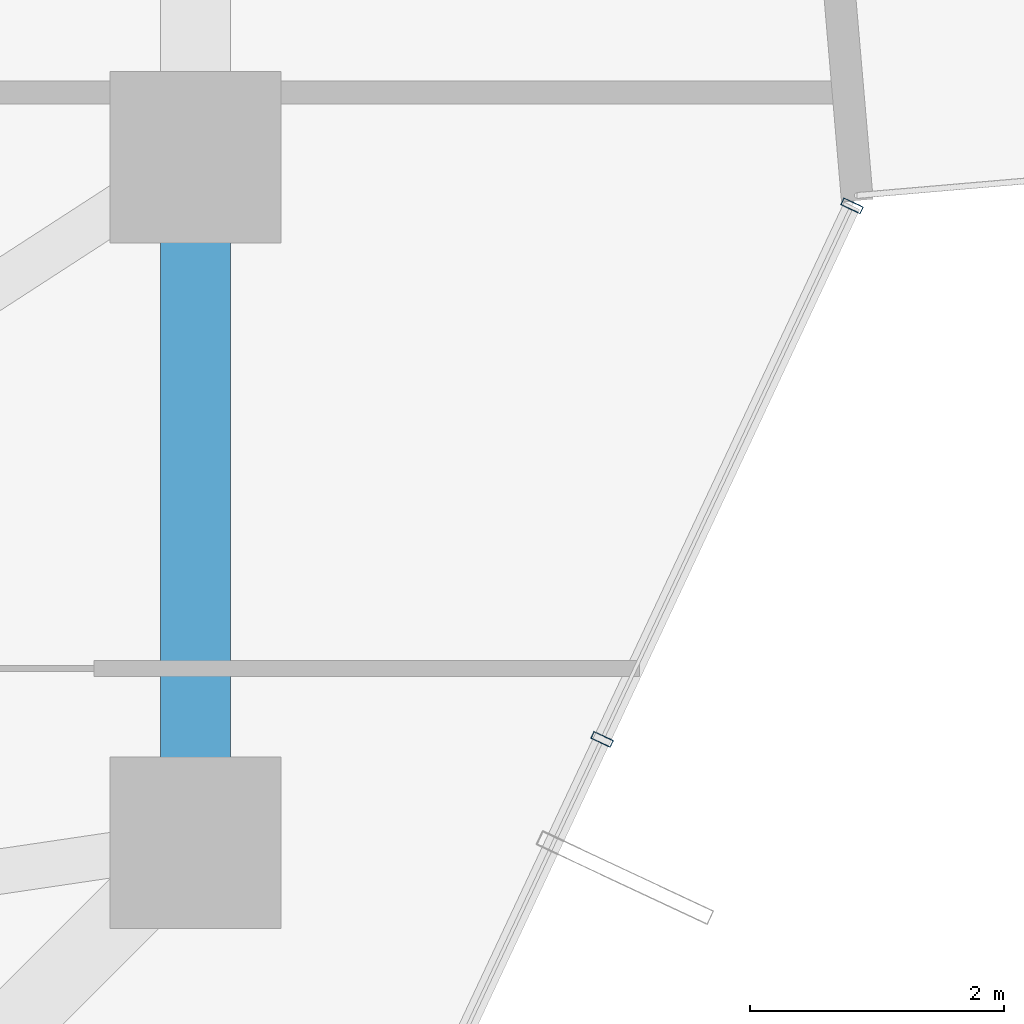
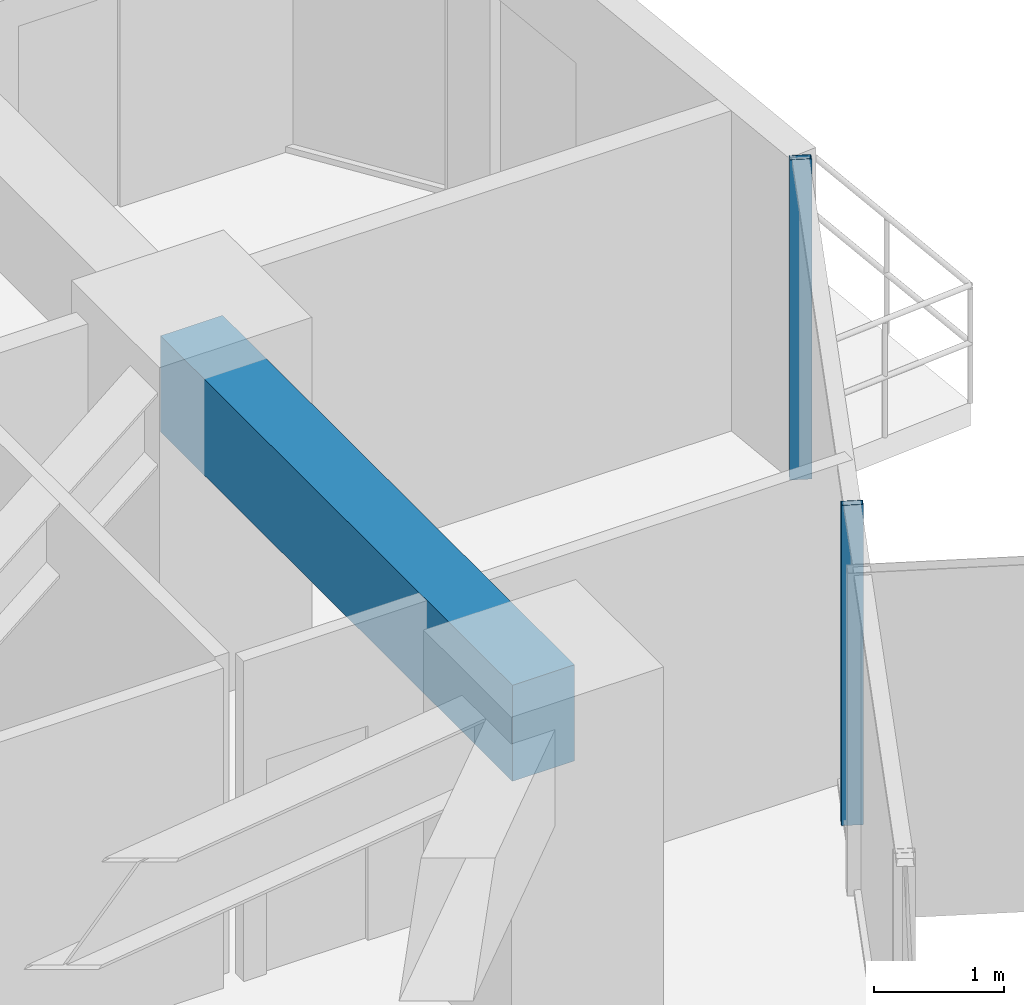
# One storey, part 18 of 37: 2 members, 1 beam, 1 element without a shape of its own.
"""IFC4 building model written with IfcOpenShell, lengths in metres."""

from ifc_helpers import new_model, si_unit, direction, frame, origin, origin_2d, place, context, subcontext, project, spatial, rectangle, hollow_rectangle, extrude, source, transform, mapped, material, layer, layer_set, material_profile, profile_set, type_object, element, aggregate, save


model = new_model("IFC4")

# Units and contexts
model_context = context("Model", 3, precision=1e-05, world=origin(), true_north=direction((0.0, 1.0)))
body_context = subcontext(model_context, "Body", "Model", "MODEL_VIEW")
ifc_project = project(units=[si_unit("LENGTHUNIT", "METRE"), si_unit("AREAUNIT", "SQUARE_METRE"), si_unit("VOLUMEUNIT", "CUBIC_METRE"), si_unit("PLANEANGLEUNIT", "RADIAN"), si_unit("MASSUNIT", "GRAM", prefix="KILO")], contexts=[model_context])

# Site, building, storey
site_placement = place(None, origin())
site = spatial("IfcSite", under=ifc_project, at=site_placement, CompositionType="ELEMENT")
building_placement = place(site_placement, origin())
building = spatial("IfcBuilding", under=site, at=building_placement, Name="Veraguas Prism Commons", CompositionType="ELEMENT")
storey_placement = place(building_placement, frame((0.0, 0.0, 40.300048828125)))
storey = spatial("IfcBuildingStorey", under=building, at=storey_placement, Name="L10", CompositionType="ELEMENT", Elevation=40.300048828125)

# Beam
ifc_material_1 = material(Name="Concrete C50/60", Category="concrete")
ifc_material_profile_1 = material_profile(ifc_material_1, rectangle(XDim=0.550048828125, YDim=0.89990234375, at=origin_2d()), Name="RC550X900")
ifc_profile_set_1 = profile_set([ifc_material_profile_1], Name="Concrete C50/60")
beam_type = type_object("IfcBeamType", Name="Perimeter Spandrel Lower RC 550x900", PredefinedType="SPANDREL", material=ifc_profile_set_1)
beam_placement = place(storey_placement, frame((41.60009765625, 18.60009765625, 2.550048828125), z_axis=(0.0, 1.0, 0.0), x_axis=(-1.0, 0.0, 0.0)))
element("IfcBeam", 1, at=beam_placement, inside=storey, type_object=beam_type, Name="Perimeter Spandrel Beam L10-SP01", PredefinedType="SPANDREL", context=body_context, shape_type="SweptSolid", body=[
    extrude(rectangle(XDim=0.550048828125, YDim=0.89990234375, at=origin_2d()), origin(), (0.0, 0.0, 1.0), 5.39990234375),
])

# Curtain wall, members
ifc_material_2 = material(Name="Anodised aluminium EN AW-6063 T6", Category="aluminium")
ifc_layer = layer(ifc_material_2, 0.169921875, Name="Unitised Flush Curtain Wall Zone 1", Category="aluminium")
ifc_layer_set = layer_set([ifc_layer], Name="Anodised aluminium EN AW-6063 T6")
curtain_wall_type = type_object("IfcCurtainWallType", Name="Unitised Flush Curtain Wall Zone 1", PredefinedType="NOTDEFINED", material=ifc_layer_set)
curtain_wall_placement = place(storey_placement, origin())
curtain_wall = element("IfcCurtainWall", 2, at=curtain_wall_placement, inside=storey, type_object=curtain_wall_type, Name="Tower Facade Curtain Wall L10-F6", PredefinedType="NOTDEFINED")
ifc_material_profile_2 = material_profile(ifc_material_2, hollow_rectangle(XDim=0.06005859375, YDim=0.169921875, WallThickness=0.00390625, at=origin_2d()), Name="AL60X170X4")
ifc_profile_set_2 = profile_set([ifc_material_profile_2], Name="Anodised aluminium EN AW-6063 T6")
member_type = type_object("IfcMemberType", Name="Curtain Wall Mullion Lower AL 60x170x4", PredefinedType="MULLION", material=ifc_profile_set_2)
shared_shape = source(origin(), body_context, "Body", "SweptSolid", [
    extrude(hollow_rectangle(XDim=0.06005859375, YDim=0.169921875, WallThickness=0.00390625, at=origin_2d()), origin(), (0.0, 0.0, 1.0), 3.0),
])
member_1_placement = place(storey_placement, frame((44.80322265625, 19.4130859375, 0.0), z_axis=(0.0, 0.0, 1.0), x_axis=(0.424194681192, 0.905571020102, 0.0)))
member_1 = element("IfcMember", 3, at=member_1_placement, type_object=member_type, Name="CW-Z1 Mullion 4", PredefinedType="MULLION", context=body_context, shape_type="MappedRepresentation", body=[
    mapped(shared_shape, transform((0.0, 0.0, 0.0), scale=1.0)),
])
member_2_placement = place(storey_placement, frame((46.77197265625, 23.61572265625, 0.0), z_axis=(0.0, 0.0, 1.0), x_axis=(0.424194681192, 0.905571020102, 0.0)))
member_2 = element("IfcMember", 4, at=member_2_placement, type_object=member_type, Name="CW-Z1 Mullion 5", PredefinedType="MULLION", context=body_context, shape_type="MappedRepresentation", body=[
    mapped(shared_shape, transform((0.0, 0.0, 0.0), scale=1.0)),
])
aggregate(curtain_wall, [member_1, member_2])

save(model, "model.ifc")
